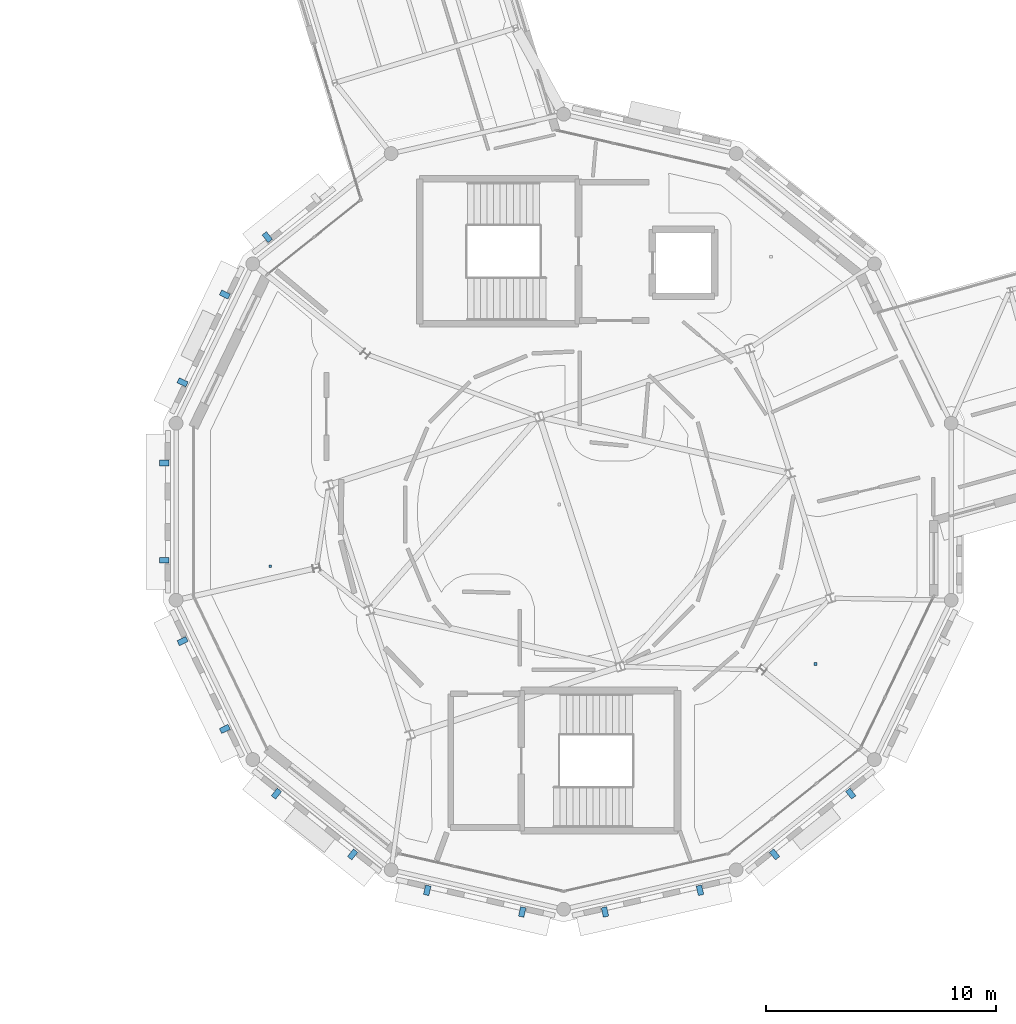
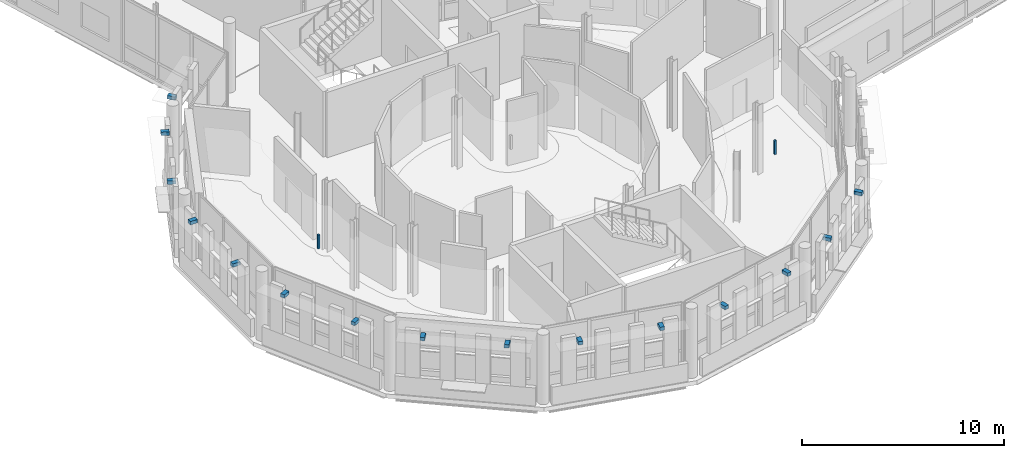
# One storey, part 105 of 125: 17 discrete accessories.
"""IFC4 building model written with IfcOpenShell, lengths in metres."""

from ifc_helpers import new_model, si_unit, direction, frame, origin, origin_2d, place, context, subcontext, project, spatial, rectangle, extrude, material, type_object, element, save


model = new_model("IFC4")

# Units and contexts
model_context = context("Model", 3, precision=1e-05, world=origin(), true_north=direction((0.0, 1.0)))
body_context = subcontext(model_context, "Body", "Model", "MODEL_VIEW")
ifc_project = project(units=[si_unit("LENGTHUNIT", "METRE"), si_unit("AREAUNIT", "SQUARE_METRE"), si_unit("VOLUMEUNIT", "CUBIC_METRE"), si_unit("PLANEANGLEUNIT", "RADIAN"), si_unit("MASSUNIT", "GRAM", prefix="KILO")], contexts=[model_context])

# Site, building, storey
site_placement = place(None, origin())
site = spatial("IfcSite", under=ifc_project, at=site_placement, CompositionType="ELEMENT")
building_placement = place(site_placement, origin())
building = spatial("IfcBuilding", under=site, at=building_placement, Name="Wrenclough Park School", CompositionType="ELEMENT")
storey_placement = place(building_placement, frame((0.0, 0.0, 4.199951171875)))
storey = spatial("IfcBuildingStorey", under=building, at=storey_placement, Name="L01", CompositionType="ELEMENT", Elevation=4.199951171875)

# Discrete accessories
ifc_material_1 = material(Name="Austenitic stainless steel Grade 1.4401", Category="steel")
discrete_accessory_type_1 = type_object("IfcDiscreteAccessoryType", Name="ENV-BRK-01", PredefinedType="BRACKET", material=ifc_material_1)
for number, where, z_axis, x_axis, name in (
    (1, (23.640380859375, 35.415771484375, 3.5400390625), (0.0, 0.0, 1.0), (-0.781833401174, -0.623487395869, 0.0), "Brise-soleil stainless outrigger bracket 0022"),
    (2, (21.800048828125, 32.92529296875, 3.5400390625), (0.0, 0.0, 1.0), (-0.433870232106, -0.900975372412, 0.0), "Brise-soleil stainless outrigger bracket 0023"),
    (3, (19.965576171875, 29.11572265625, 3.5400390625), (0.0, 0.0, 1.0), (-0.433870232106, -0.900975372412, 0.0), "Brise-soleil stainless outrigger bracket 0024"),
    (4, (19.166259765625, 25.61376953125, 3.5400390625), (0.0, 0.0, 1.0), (0.0, -1.0, 0.0), "Brise-soleil stainless outrigger bracket 0025"),
    (5, (19.166259765625, 21.38623046875, 3.5400390625), (0.0, 0.0, 1.0), (0.0, -1.0, 0.0), "Brise-soleil stainless outrigger bracket 0026"),
    (6, (19.965576171875, 17.88427734375, 3.5400390625), (0.0, 0.0, 1.0), (0.433881751488, -0.900969825092, 0.0), "Brise-soleil stainless outrigger bracket 0027"),
    (7, (21.800048828125, 14.07470703125, 3.5400390625), (0.0, 0.0, 1.0), (0.433881751488, -0.900969825092, 0.0), "Brise-soleil stainless outrigger bracket 0028"),
    (8, (24.039306640625, 11.266357421875, 3.5400390625), (0.0, 0.0, 1.0), (0.781827272043, -0.623495081528, 0.0), "Brise-soleil stainless outrigger bracket 0029"),
    (9, (27.34521484375, 8.6298828125, 3.5400390625), (0.0, 0.0, 1.0), (0.781827272043, -0.623495081528, 0.0), "Brise-soleil stainless outrigger bracket 0030"),
    (10, (30.581298828125, 7.071533203125, 3.5400390625), (0.0, 0.0, 1.0), (0.974924601018, -0.222535440615, 0.0), "Brise-soleil stainless outrigger bracket 0031"),
    (11, (34.703857421875, 6.130615234375, 3.5400390625), (0.0, 0.0, 1.0), (0.974924601018, -0.222535440615, 0.0), "Brise-soleil stainless outrigger bracket 0032"),
    (12, (38.2958984375, 6.13037109375, 3.5400390625), (0.0, 0.0, 1.0), (0.974926809846, 0.222525763552, 0.0), "Brise-soleil stainless outrigger bracket 0033"),
    (13, (42.417724609375, 7.0712890625, 3.5400390625), (0.0, 0.0, 1.0), (0.974926809846, 0.222525763552, 0.0), "Brise-soleil stainless outrigger bracket 0034"),
    (14, (45.654296875, 8.629638671875, 3.5400390625), (0.0, 0.0, 1.0), (0.781832700782, 0.623488274139, 0.0), "Brise-soleil stainless outrigger bracket 0035"),
    (15, (48.96044921875, 11.26611328125, 3.5400390625), (0.0, 0.0, 1.0), (0.781832700782, 0.623488274139, 0.0), "Brise-soleil stainless outrigger bracket 0036"),
):
    element("IfcDiscreteAccessory", number, at=place(storey_placement, frame(where, z_axis=z_axis, x_axis=x_axis)), inside=storey, type_object=discrete_accessory_type_1, Name=name, PredefinedType="BRACKET", context=body_context, shape_type="SweptSolid", body=[
        extrude(rectangle(XDim=0.239990234375, YDim=0.419921875, at=origin_2d()), origin(), (0.0, 0.0, 1.0), 0.199951171875),
    ])
ifc_material_2 = material(Name="Galvanised steel acoustic ceiling suspension hanger", Category="steel")
discrete_accessory_type_2 = type_object("IfcDiscreteAccessoryType", Name="INT-BRK-HGR", PredefinedType="BRACKET", material=ifc_material_2)
for number, where, z_axis, x_axis, name in (
    (16, (23.77294921875, 21.13818359375, 3.090087890625), (0.0, 0.0, 1.0), (1.0, 0.0, 0.0), "Acoustic ceiling hanger bracket 0023"),
    (17, (47.42626953125, 16.88818359375, 3.090087890625), (0.0, 0.0, 1.0), (1.0, 0.0, 0.0), "Acoustic ceiling hanger bracket 0024"),
):
    element("IfcDiscreteAccessory", number, at=place(storey_placement, frame(where, z_axis=z_axis, x_axis=x_axis)), inside=storey, type_object=discrete_accessory_type_2, Name=name, PredefinedType="BRACKET", context=body_context, shape_type="SweptSolid", body=[
        extrude(rectangle(XDim=0.1201171875, YDim=0.1201171875, at=origin_2d()), origin(), (0.0, 0.0, 1.0), 0.8349609375),
    ])

save(model, "model.ifc")
